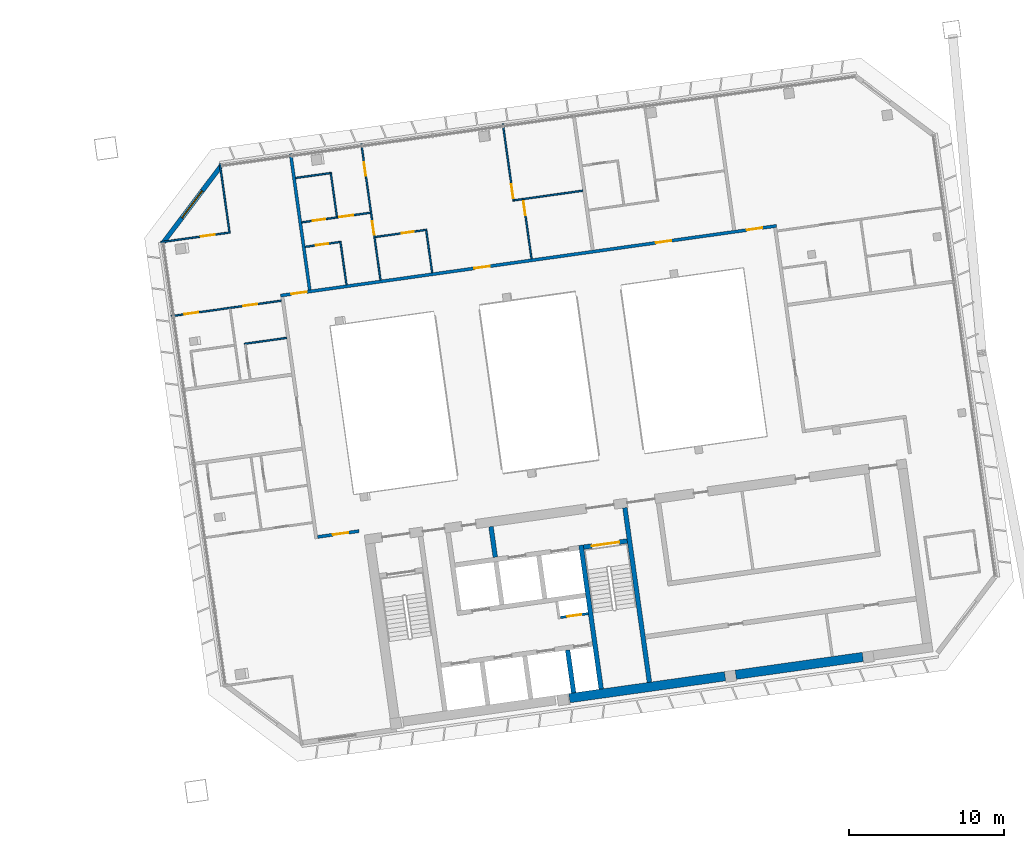
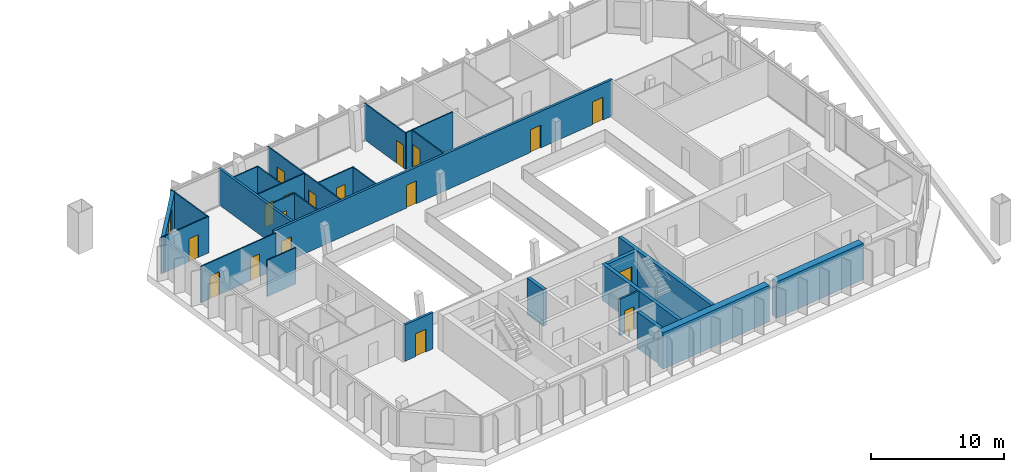
# One storey, part 18 of 23: 27 walls, 18 doors, 1 window, 19 openings.
"""IFC4 building model written with IfcOpenShell, lengths in metres."""

from ifc_helpers import new_model, si_unit, direction, frame, frame_2d, origin, place, context, subcontext, project, spatial, rectangle, extrude, material, layer, layer_set, type_object, element, fill, save


model = new_model("IFC4")

# Units and contexts
model_context = context("Model", 3, precision=1e-05, world=origin(), true_north=direction((0.0, 1.0)))
body_context = subcontext(model_context, "Body", "Model", "MODEL_VIEW")
ifc_project = project(units=[si_unit("LENGTHUNIT", "METRE"), si_unit("AREAUNIT", "SQUARE_METRE"), si_unit("VOLUMEUNIT", "CUBIC_METRE"), si_unit("PLANEANGLEUNIT", "RADIAN"), si_unit("MASSUNIT", "GRAM", prefix="KILO")], contexts=[model_context])

# Site, building, storey
site_placement = place(None, origin())
site = spatial("IfcSite", under=ifc_project, at=site_placement, CompositionType="ELEMENT")
building_placement = place(site_placement, origin())
building = spatial("IfcBuilding", under=site, at=building_placement, Name="Mirante Cascada Hotel Towers", CompositionType="ELEMENT")
storey_placement = place(building_placement, frame((0.0, 0.0, 220.4)))
storey = spatial("IfcBuildingStorey", under=building, at=storey_placement, Name="L52", CompositionType="ELEMENT", Elevation=220.4)

# Wall, opening, door
ifc_material_1 = material(Name="Fire-rated plasterboard on metal studs")
ifc_layer_1 = layer(ifc_material_1, 0.2)
ifc_layer_set_1 = layer_set([ifc_layer_1], Name="Compartment wall 200 EI 120")
wall_type_1 = type_object("IfcWallType", Name="Compartment wall 200 EI 120", PredefinedType="PARTITIONING", material=ifc_layer_set_1)
wall_1_placement = place(storey_placement, frame((35.2634, -7.1173, 0.0), z_axis=(0.0, 0.0, 1.0), x_axis=(-0.9902713, -0.1391498, 0.0)))
wall_1 = element("IfcWall", 1, at=wall_1_placement, inside=storey, type_object=wall_type_1, Name="Wall 2-L52-04", PredefinedType="PARTITIONING", context=body_context, shape_type="SweptSolid", body=[
    extrude(rectangle(XDim=2.7, YDim=0.2, at=frame_2d((1.35, 0.0))), origin(), (0.0, 0.0, 1.0), 3.35),
])
opening_1_placement = place(wall_1_placement, frame((0.7, 0.0, 0.0)))
opening_1 = element("IfcOpeningElement", 2, at=opening_1_placement, cuts=wall_1, Name="Opening D2-L52-02", PredefinedType="OPENING", context=body_context, shape_type="SweptSolid", body=[
    extrude(rectangle(XDim=1.0, YDim=2.1, at=frame_2d((0.5, 1.05))), frame((0.0, 0.1, 0.0), z_axis=(0.0, -1.0, 0.0), x_axis=(1.0, 0.0, 0.0)), (0.0, 0.0, 1.0), 0.2),
])
ifc_material_2 = material(Name="Fire-rated timber door leaf", Category="wood")
door_type_1 = type_object("IfcDoorType", Name="Entrance door DG1 1000x2100 EI 60", OperationType="SINGLE_SWING_LEFT", PredefinedType="DOOR", material=ifc_material_2)
door_1_placement = place(opening_1_placement, origin())
door_1 = element("IfcDoor", 3, at=door_1_placement, inside=storey, type_object=door_type_1, Name="Door D2-L52-02", OperationType="SINGLE_SWING_LEFT", OverallHeight=2.1, OverallWidth=1.0, PredefinedType="DOOR", context=body_context, shape_type="SweptSolid", body=[
    extrude(rectangle(XDim=1.0, YDim=2.1, at=frame_2d((0.5, 1.05))), frame((0.0, 0.025, 0.0), z_axis=(0.0, -1.0, 0.0), x_axis=(1.0, 0.0, 0.0)), (0.0, 0.0, 1.0), 0.05),
])
fill(opening_1, door_1)

# Wall, openings, doors
wall_2_placement = place(storey_placement, frame((62.2774, 12.6346, 0.0), z_axis=(0.0, 0.0, 1.0), x_axis=(-0.9902681, -0.1391728, 0.0)))
wall_2 = element("IfcWall", 4, at=wall_2_placement, inside=storey, type_object=wall_type_1, Name="Wall 2-L52-18", PredefinedType="PARTITIONING", context=body_context, shape_type="SweptSolid", body=[
    extrude(rectangle(XDim=32.4, YDim=0.2, at=frame_2d((16.2, 0.0))), origin(), (0.0, 0.0, 1.0), 3.35),
])
opening_2_placement = place(wall_2_placement, frame((30.6918, 0.0, 0.0)))
opening_2 = element("IfcOpeningElement", 5, at=opening_2_placement, cuts=wall_2, Name="Opening D2-L52-09", PredefinedType="OPENING", context=body_context, shape_type="SweptSolid", body=[
    extrude(rectangle(XDim=1.0, YDim=2.1, at=frame_2d((0.5, 1.05))), frame((0.0, 0.1, 0.0), z_axis=(0.0, -1.0, 0.0), x_axis=(1.0, 0.0, 0.0)), (0.0, 0.0, 1.0), 0.2),
])
opening_3_placement = place(wall_2_placement, frame((18.7377, 0.0, 0.0)))
opening_3 = element("IfcOpeningElement", 6, at=opening_3_placement, cuts=wall_2, Name="Opening D2-L52-10", PredefinedType="OPENING", context=body_context, shape_type="SweptSolid", body=[
    extrude(rectangle(XDim=1.0, YDim=2.1, at=frame_2d((0.5, 1.05))), frame((0.0, 0.1, 0.0), z_axis=(0.0, -1.0, 0.0), x_axis=(1.0, 0.0, 0.0)), (0.0, 0.0, 1.0), 0.2),
])
opening_4_placement = place(wall_2_placement, frame((6.8689, 0.0, 0.0)))
opening_4 = element("IfcOpeningElement", 7, at=opening_4_placement, cuts=wall_2, Name="Opening D2-L52-11", PredefinedType="OPENING", context=body_context, shape_type="SweptSolid", body=[
    extrude(rectangle(XDim=1.0, YDim=2.1, at=frame_2d((0.5, 1.05))), frame((0.0, 0.1, 0.0), z_axis=(0.0, -1.0, 0.0), x_axis=(1.0, 0.0, 0.0)), (0.0, 0.0, 1.0), 0.2),
])
opening_5_placement = place(wall_2_placement, frame((0.923, 0.0, 0.0)))
opening_5 = element("IfcOpeningElement", 8, at=opening_5_placement, cuts=wall_2, Name="Opening D2-L52-12", PredefinedType="OPENING", context=body_context, shape_type="SweptSolid", body=[
    extrude(rectangle(XDim=1.0, YDim=2.1, at=frame_2d((0.5, 1.05))), frame((0.0, 0.1, 0.0), z_axis=(0.0, -1.0, 0.0), x_axis=(1.0, 0.0, 0.0)), (0.0, 0.0, 1.0), 0.2),
])
door_2_placement = place(opening_2_placement, frame((1.0, 0.0, 0.0), z_axis=(0.0, 0.0, 1.0), x_axis=(-1.0, 0.0, 0.0)))
door_2 = element("IfcDoor", 9, at=door_2_placement, inside=storey, type_object=door_type_1, Name="Door D2-L52-09", OperationType="SINGLE_SWING_RIGHT", OverallHeight=2.1, OverallWidth=1.0, PredefinedType="DOOR", context=body_context, shape_type="SweptSolid", body=[
    extrude(rectangle(XDim=1.0, YDim=2.1, at=frame_2d((0.5, 1.05))), frame((0.0, 0.025, 0.0), z_axis=(0.0, -1.0, 0.0), x_axis=(1.0, 0.0, 0.0)), (0.0, 0.0, 1.0), 0.05),
])
fill(opening_2, door_2)
door_3_placement = place(opening_3_placement, frame((1.0, 0.0, 0.0), z_axis=(0.0, 0.0, 1.0), x_axis=(-1.0, 0.0, 0.0)))
door_3 = element("IfcDoor", 10, at=door_3_placement, inside=storey, type_object=door_type_1, Name="Door D2-L52-10", OperationType="SINGLE_SWING_RIGHT", OverallHeight=2.1, OverallWidth=1.0, PredefinedType="DOOR", context=body_context, shape_type="SweptSolid", body=[
    extrude(rectangle(XDim=1.0, YDim=2.1, at=frame_2d((0.5, 1.05))), frame((0.0, 0.025, 0.0), z_axis=(0.0, -1.0, 0.0), x_axis=(1.0, 0.0, 0.0)), (0.0, 0.0, 1.0), 0.05),
])
fill(opening_3, door_3)
door_4_placement = place(opening_4_placement, frame((1.0, 0.0, 0.0), z_axis=(0.0, 0.0, 1.0), x_axis=(-1.0, 0.0, 0.0)))
door_4 = element("IfcDoor", 11, at=door_4_placement, inside=storey, type_object=door_type_1, Name="Door D2-L52-11", OperationType="SINGLE_SWING_RIGHT", OverallHeight=2.1, OverallWidth=1.0, PredefinedType="DOOR", context=body_context, shape_type="SweptSolid", body=[
    extrude(rectangle(XDim=1.0, YDim=2.1, at=frame_2d((0.5, 1.05))), frame((0.0, 0.025, 0.0), z_axis=(0.0, -1.0, 0.0), x_axis=(1.0, 0.0, 0.0)), (0.0, 0.0, 1.0), 0.05),
])
fill(opening_4, door_4)
door_5_placement = place(opening_5_placement, frame((1.0, 0.0, 0.0), z_axis=(0.0, 0.0, 1.0), x_axis=(-1.0, 0.0, 0.0)))
door_5 = element("IfcDoor", 12, at=door_5_placement, inside=storey, type_object=door_type_1, Name="Door D2-L52-12", OperationType="SINGLE_SWING_RIGHT", OverallHeight=2.1, OverallWidth=1.0, PredefinedType="DOOR", context=body_context, shape_type="SweptSolid", body=[
    extrude(rectangle(XDim=1.0, YDim=2.1, at=frame_2d((0.5, 1.05))), frame((0.0, 0.025, 0.0), z_axis=(0.0, -1.0, 0.0), x_axis=(1.0, 0.0, 0.0)), (0.0, 0.0, 1.0), 0.05),
])
fill(opening_5, door_5)

# Wall
wall_3_placement = place(storey_placement, frame((32.0765, 8.4911, 0.0), z_axis=(0.0, 0.0, 1.0), x_axis=(-0.1391684, 0.9902687, 0.0)))
element("IfcWall", 13, at=wall_3_placement, inside=storey, type_object=wall_type_1, Name="Wall 2-L52-37", PredefinedType="PARTITIONING", context=body_context, shape_type="SweptSolid", body=[
    extrude(rectangle(XDim=8.9, YDim=0.2, at=frame_2d((4.45, 0.0))), origin(), (0.0, 0.0, 1.0), 3.35),
])

# Wall, opening, door
ifc_material_3 = material(Name="Masonry block", Category="masonry")
ifc_layer_2 = layer(ifc_material_3, 0.15)
ifc_layer_set_2 = layer_set([ifc_layer_2], Name="Core room partition 150 block EI 30")
wall_type_2 = type_object("IfcWallType", Name="Core room partition 150 block EI 30", PredefinedType="PARTITIONING", material=ifc_layer_set_2)
wall_4_placement = place(storey_placement, frame((48.2933, -12.7083, 0.0), z_axis=(0.0, 0.0, 1.0), x_axis=(0.990268, 0.1391734, 0.0)))
wall_4 = element("IfcWall", 14, at=wall_4_placement, inside=storey, type_object=wall_type_2, Name="Core wall partition T2 L52 3", PredefinedType="PARTITIONING", context=body_context, shape_type="SweptSolid", body=[
    extrude(rectangle(XDim=1.8251, YDim=0.15, at=frame_2d((0.9126, 0.0))), origin(), (0.0, 0.0, 1.0), 3.35),
])
opening_6_placement = place(wall_4_placement, frame((0.4625, 0.0, 0.0)))
opening_6 = element("IfcOpeningElement", 15, at=opening_6_placement, cuts=wall_4, Name="Opening D2-52-C15", PredefinedType="OPENING", context=body_context, shape_type="SweptSolid", body=[
    extrude(rectangle(XDim=0.9, YDim=2.1, at=frame_2d((0.45, 1.05))), frame((0.0, 0.075, 0.0), z_axis=(0.0, -1.0, 0.0), x_axis=(1.0, 0.0, 0.0)), (0.0, 0.0, 1.0), 0.15),
])
ifc_material_4 = material(Name="Hollow metal fire door leaf")
door_type_2 = type_object("IfcDoorType", Name="Fire door 900x2100 FD60", OperationType="NOTDEFINED", PredefinedType="DOOR", material=ifc_material_4)
door_6_placement = place(opening_6_placement, frame((0.9, 0.0, 0.0), z_axis=(0.0, 0.0, 1.0), x_axis=(-1.0, 0.0, 0.0)))
door_6 = element("IfcDoor", 16, at=door_6_placement, inside=storey, type_object=door_type_2, Name="Riser door T2 L52 15", OperationType="SINGLE_SWING_RIGHT", OverallHeight=2.1, OverallWidth=0.9, PredefinedType="DOOR", context=body_context, shape_type="SweptSolid", body=[
    extrude(rectangle(XDim=0.9, YDim=2.1, at=frame_2d((0.45, 1.05))), frame((0.0, 0.025, 0.0), z_axis=(0.0, -1.0, 0.0), x_axis=(1.0, 0.0, 0.0)), (0.0, 0.0, 1.0), 0.05),
])
fill(opening_6, door_6)

# Walls
ifc_material_5 = material(Name="Masonry block", Category="masonry")
ifc_layer_3 = layer(ifc_material_5, 0.3)
ifc_layer_set_3 = layer_set([ifc_layer_3], Name="Core wall 300 block EI 120")
wall_type_3 = type_object("IfcWallType", Name="Core wall 300 block EI 120", PredefinedType="PARTITIONING", material=ifc_layer_set_3)
wall_5_placement = place(storey_placement, frame((44.0843, -8.8061, 0.0), z_axis=(0.0, 0.0, 1.0), x_axis=(-0.1391951, 0.990265, 0.0)))
element("IfcWall", 17, at=wall_5_placement, inside=storey, type_object=wall_type_3, Name="Core wall partition T2 L52 1", PredefinedType="PARTITIONING", context=body_context, shape_type="SweptSolid", body=[
    extrude(rectangle(XDim=2.0001, YDim=0.3, at=frame_2d((1.0001, 0.0))), origin(), (0.0, 0.0, 1.0), 3.35),
])
ifc_material_6 = material(Name="Plasterboard on metal studs")
ifc_layer_4 = layer(ifc_material_6, 0.1)
ifc_layer_set_4 = layer_set([ifc_layer_4], Name="Partition 100")
wall_type_4 = type_object("IfcWallType", Name="Partition 100", PredefinedType="PARTITIONING", material=ifc_layer_set_4)
wall_6_placement = place(storey_placement, frame((27.8481, 5.002, 0.0), z_axis=(0.0, 0.0, 1.0), x_axis=(0.9902691, 0.1391659, 0.0)))
element("IfcWall", 18, at=wall_6_placement, inside=storey, type_object=wall_type_4, Name="Wall 2-L52-13", PredefinedType="PARTITIONING", context=body_context, shape_type="SweptSolid", body=[
    extrude(rectangle(XDim=2.7564, YDim=0.1, at=frame_2d((1.3782, 0.0))), origin(), (0.0, 0.0, 1.0), 3.35),
])

# Wall, openings, doors
wall_7_placement = place(storey_placement, frame((30.2391, 7.7953, 0.0), z_axis=(0.0, 0.0, 1.0), x_axis=(-0.9902691, -0.1391655, 0.0)))
wall_7 = element("IfcWall", 19, at=wall_7_placement, inside=storey, type_object=wall_type_4, Name="Wall 2-L52-16", PredefinedType="PARTITIONING", context=body_context, shape_type="SweptSolid", body=[
    extrude(rectangle(XDim=7.2065, YDim=0.1, at=frame_2d((3.6032, 0.0))), origin(), (0.0, 0.0, 1.0), 3.35),
])
opening_7_placement = place(wall_7_placement, frame((5.4299, 0.0, 0.0)))
opening_7 = element("IfcOpeningElement", 20, at=opening_7_placement, cuts=wall_7, Name="Opening D2-L52-05", PredefinedType="OPENING", context=body_context, shape_type="SweptSolid", body=[
    extrude(rectangle(XDim=0.9, YDim=2.1, at=frame_2d((0.45, 1.05))), frame((0.0, 0.05, 0.0), z_axis=(0.0, -1.0, 0.0), x_axis=(1.0, 0.0, 0.0)), (0.0, 0.0, 1.0), 0.1),
])
opening_8_placement = place(wall_7_placement, frame((1.5766, 0.0, 0.0)))
opening_8 = element("IfcOpeningElement", 21, at=opening_8_placement, cuts=wall_7, Name="Opening D2-L52-06", PredefinedType="OPENING", context=body_context, shape_type="SweptSolid", body=[
    extrude(rectangle(XDim=0.9, YDim=2.1, at=frame_2d((0.45, 1.05))), frame((0.0, 0.05, 0.0), z_axis=(0.0, -1.0, 0.0), x_axis=(1.0, 0.0, 0.0)), (0.0, 0.0, 1.0), 0.1),
])
ifc_material_7 = material(Name="Timber door leaf", Category="wood")
door_type_3 = type_object("IfcDoorType", Name="Room door DG3 900x2100", OperationType="SINGLE_SWING_LEFT", PredefinedType="DOOR", material=ifc_material_7)
door_7_placement = place(opening_7_placement, frame((0.9, 0.0, 0.0), z_axis=(0.0, 0.0, 1.0), x_axis=(-1.0, 0.0, 0.0)))
door_7 = element("IfcDoor", 22, at=door_7_placement, inside=storey, type_object=door_type_3, Name="Door D2-L52-05", OperationType="SINGLE_SWING_RIGHT", OverallHeight=2.1, OverallWidth=0.9, PredefinedType="DOOR", context=body_context, shape_type="SweptSolid", body=[
    extrude(rectangle(XDim=0.9, YDim=2.1, at=frame_2d((0.45, 1.05))), frame((0.0, 0.025, 0.0), z_axis=(0.0, -1.0, 0.0), x_axis=(1.0, 0.0, 0.0)), (0.0, 0.0, 1.0), 0.05),
])
fill(opening_7, door_7)
door_8_placement = place(opening_8_placement, frame((0.9, 0.0, 0.0), z_axis=(0.0, 0.0, 1.0), x_axis=(-1.0, 0.0, 0.0)))
door_8 = element("IfcDoor", 23, at=door_8_placement, inside=storey, type_object=door_type_3, Name="Door D2-L52-06", OperationType="SINGLE_SWING_RIGHT", OverallHeight=2.1, OverallWidth=0.9, PredefinedType="DOOR", context=body_context, shape_type="SweptSolid", body=[
    extrude(rectangle(XDim=0.9, YDim=2.1, at=frame_2d((0.45, 1.05))), frame((0.0, 0.025, 0.0), z_axis=(0.0, -1.0, 0.0), x_axis=(1.0, 0.0, 0.0)), (0.0, 0.0, 1.0), 0.05),
])
fill(opening_8, door_8)

# Wall, opening, door
wall_8_placement = place(storey_placement, frame((34.014, 11.5909, 0.0), z_axis=(0.0, 0.0, 1.0), x_axis=(-0.9902705, -0.1391561, 0.0)))
wall_8 = element("IfcWall", 24, at=wall_8_placement, inside=storey, type_object=wall_type_4, Name="Wall 2-L52-20", PredefinedType="PARTITIONING", context=body_context, shape_type="SweptSolid", body=[
    extrude(rectangle(XDim=2.25, YDim=0.1, at=frame_2d((1.125, 0.0))), origin(), (0.0, 0.0, 1.0), 3.35),
])
opening_9_placement = place(wall_8_placement, frame((0.75, 0.0, 0.0)))
opening_9 = element("IfcOpeningElement", 25, at=opening_9_placement, cuts=wall_8, Name="Opening D2-L52-13", PredefinedType="OPENING", context=body_context, shape_type="SweptSolid", body=[
    extrude(rectangle(XDim=0.8, YDim=2.1, at=frame_2d((0.4, 1.05))), frame((0.0, 0.05, 0.0), z_axis=(0.0, -1.0, 0.0), x_axis=(1.0, 0.0, 0.0)), (0.0, 0.0, 1.0), 0.1),
])
ifc_material_8 = material(Name="Timber door leaf", Category="wood")
door_type_4 = type_object("IfcDoorType", Name="Bathroom door DG4 800x2100", OperationType="SINGLE_SWING_LEFT", PredefinedType="DOOR", material=ifc_material_8)
door_9_placement = place(opening_9_placement, origin())
door_9 = element("IfcDoor", 26, at=door_9_placement, inside=storey, type_object=door_type_4, Name="Door D2-L52-13", OperationType="SINGLE_SWING_LEFT", OverallHeight=2.1, OverallWidth=0.8, PredefinedType="DOOR", context=body_context, shape_type="SweptSolid", body=[
    extrude(rectangle(XDim=0.8, YDim=2.1, at=frame_2d((0.4, 1.05))), frame((0.0, 0.025, 0.0), z_axis=(0.0, -1.0, 0.0), x_axis=(1.0, 0.0, 0.0)), (0.0, 0.0, 1.0), 0.05),
])
fill(opening_9, door_9)

wall_9_placement = place(storey_placement, frame((36.3144, 11.9142, 0.0), z_axis=(0.0, 0.0, 1.0), x_axis=(0.9902674, 0.1391782, 0.0)))
wall_9 = element("IfcWall", 27, at=wall_9_placement, inside=storey, type_object=wall_type_4, Name="Wall 2-L52-21", PredefinedType="PARTITIONING", context=body_context, shape_type="SweptSolid", body=[
    extrude(rectangle(XDim=3.377, YDim=0.1, at=frame_2d((1.6885, 0.0))), origin(), (0.0, 0.0, 1.0), 3.35),
])
opening_10_placement = place(wall_9_placement, frame((1.727, 0.0, 0.0)))
opening_10 = element("IfcOpeningElement", 28, at=opening_10_placement, cuts=wall_9, Name="Opening D2-L52-14", PredefinedType="OPENING", context=body_context, shape_type="SweptSolid", body=[
    extrude(rectangle(XDim=0.8, YDim=2.1, at=frame_2d((0.4, 1.05))), frame((0.0, 0.05, 0.0), z_axis=(0.0, -1.0, 0.0), x_axis=(1.0, 0.0, 0.0)), (0.0, 0.0, 1.0), 0.1),
])
door_10_placement = place(opening_10_placement, origin())
door_10 = element("IfcDoor", 29, at=door_10_placement, inside=storey, type_object=door_type_4, Name="Door D2-L52-14", OperationType="SINGLE_SWING_LEFT", OverallHeight=2.1, OverallWidth=0.8, PredefinedType="DOOR", context=body_context, shape_type="SweptSolid", body=[
    extrude(rectangle(XDim=0.8, YDim=2.1, at=frame_2d((0.4, 1.05))), frame((0.0, 0.025, 0.0), z_axis=(0.0, -1.0, 0.0), x_axis=(1.0, 0.0, 0.0)), (0.0, 0.0, 1.0), 0.05),
])
fill(opening_10, door_10)

# Wall
wall_10_placement = place(storey_placement, frame((49.7466, 14.9128, 0.0), z_axis=(0.0, 0.0, 1.0), x_axis=(-0.9902684, -0.1391706, 0.0)))
element("IfcWall", 30, at=wall_10_placement, inside=storey, type_object=wall_type_4, Name="Wall 2-L52-22", PredefinedType="PARTITIONING", context=body_context, shape_type="SweptSolid", body=[
    extrude(rectangle(XDim=4.4729, YDim=0.1, at=frame_2d((2.2364, 0.0))), origin(), (0.0, 0.0, 1.0), 3.35),
])

# Wall, opening, door
wall_11_placement = place(storey_placement, frame((26.9358, 12.2119, 0.0), z_axis=(0.0, 0.0, 1.0), x_axis=(-0.9902661, -0.1391871, 0.0)))
wall_11 = element("IfcWall", 31, at=wall_11_placement, inside=storey, type_object=wall_type_4, Name="Wall 2-L52-24", PredefinedType="PARTITIONING", context=body_context, shape_type="SweptSolid", body=[
    extrude(rectangle(XDim=4.55, YDim=0.1, at=frame_2d((2.275, 0.0))), origin(), (0.0, 0.0, 1.0), 3.35),
])
opening_11_placement = place(wall_11_placement, frame((1.0174, 0.0, 0.0)))
opening_11 = element("IfcOpeningElement", 32, at=opening_11_placement, cuts=wall_11, Name="Opening D2-L52-16", PredefinedType="OPENING", context=body_context, shape_type="SweptSolid", body=[
    extrude(rectangle(XDim=0.9, YDim=2.1, at=frame_2d((0.45, 1.05))), frame((0.0, 0.05, 0.0), z_axis=(0.0, -1.0, 0.0), x_axis=(1.0, 0.0, 0.0)), (0.0, 0.0, 1.0), 0.1),
])
door_11_placement = place(opening_11_placement, origin())
door_11 = element("IfcDoor", 33, at=door_11_placement, inside=storey, type_object=door_type_3, Name="Door D2-L52-16", OperationType="SINGLE_SWING_LEFT", OverallHeight=2.1, OverallWidth=0.9, PredefinedType="DOOR", context=body_context, shape_type="SweptSolid", body=[
    extrude(rectangle(XDim=0.9, YDim=2.1, at=frame_2d((0.45, 1.05))), frame((0.0, 0.025, 0.0), z_axis=(0.0, -1.0, 0.0), x_axis=(1.0, 0.0, 0.0)), (0.0, 0.0, 1.0), 0.05),
])
fill(opening_11, door_11)

# Wall, openings, doors
wall_12_placement = place(storey_placement, frame((31.5632, 12.8622, 0.0), z_axis=(0.0, 0.0, 1.0), x_axis=(0.9902689, 0.1391675, 0.0)))
wall_12 = element("IfcWall", 34, at=wall_12_placement, inside=storey, type_object=wall_type_4, Name="Wall 2-L52-25", PredefinedType="PARTITIONING", context=body_context, shape_type="SweptSolid", body=[
    extrude(rectangle(XDim=4.473, YDim=0.1, at=frame_2d((2.2365, 0.0))), origin(), (0.0, 0.0, 1.0), 3.35),
])
opening_12_placement = place(wall_12_placement, frame((0.72, 0.0, 0.0)))
opening_12 = element("IfcOpeningElement", 35, at=opening_12_placement, cuts=wall_12, Name="Opening D2-L52-17", PredefinedType="OPENING", context=body_context, shape_type="SweptSolid", body=[
    extrude(rectangle(XDim=0.8, YDim=2.1, at=frame_2d((0.4, 1.05))), frame((0.0, 0.05, 0.0), z_axis=(0.0, -1.0, 0.0), x_axis=(1.0, 0.0, 0.0)), (0.0, 0.0, 1.0), 0.1),
])
opening_13_placement = place(wall_12_placement, frame((2.45, 0.0, 0.0)))
opening_13 = element("IfcOpeningElement", 36, at=opening_13_placement, cuts=wall_12, Name="Opening D2-L52-18", PredefinedType="OPENING", context=body_context, shape_type="SweptSolid", body=[
    extrude(rectangle(XDim=0.9, YDim=2.1, at=frame_2d((0.45, 1.05))), frame((0.0, 0.05, 0.0), z_axis=(0.0, -1.0, 0.0), x_axis=(1.0, 0.0, 0.0)), (0.0, 0.0, 1.0), 0.1),
])
door_12_placement = place(opening_12_placement, frame((0.8, 0.0, 0.0), z_axis=(0.0, 0.0, 1.0), x_axis=(-1.0, 0.0, 0.0)))
door_12 = element("IfcDoor", 37, at=door_12_placement, inside=storey, type_object=door_type_4, Name="Door D2-L52-17", OperationType="SINGLE_SWING_RIGHT", OverallHeight=2.1, OverallWidth=0.8, PredefinedType="DOOR", context=body_context, shape_type="SweptSolid", body=[
    extrude(rectangle(XDim=0.8, YDim=2.1, at=frame_2d((0.4, 1.05))), frame((0.0, 0.025, 0.0), z_axis=(0.0, -1.0, 0.0), x_axis=(1.0, 0.0, 0.0)), (0.0, 0.0, 1.0), 0.05),
])
fill(opening_12, door_12)
door_13_placement = place(opening_13_placement, origin())
door_13 = element("IfcDoor", 38, at=door_13_placement, inside=storey, type_object=door_type_3, Name="Door D2-L52-18", OperationType="SINGLE_SWING_LEFT", OverallHeight=2.1, OverallWidth=0.9, PredefinedType="DOOR", context=body_context, shape_type="SweptSolid", body=[
    extrude(rectangle(XDim=0.9, YDim=2.1, at=frame_2d((0.45, 1.05))), frame((0.0, 0.025, 0.0), z_axis=(0.0, -1.0, 0.0), x_axis=(1.0, 0.0, 0.0)), (0.0, 0.0, 1.0), 0.05),
])
fill(opening_13, door_13)

# Walls
wall_13_placement = place(storey_placement, frame((31.1596, 15.734, 0.0), z_axis=(0.0, 0.0, 1.0), x_axis=(0.9902705, 0.1391561, 0.0)))
element("IfcWall", 39, at=wall_13_placement, inside=storey, type_object=wall_type_4, Name="Wall 2-L52-27", PredefinedType="PARTITIONING", context=body_context, shape_type="SweptSolid", body=[
    extrude(rectangle(XDim=2.25, YDim=0.1, at=frame_2d((1.125, 0.0))), origin(), (0.0, 0.0, 1.0), 3.35),
])
wall_14_placement = place(storey_placement, frame((26.8793, 12.2544, 0.0), z_axis=(0.0, 0.0, 1.0), x_axis=(-0.1391684, 0.9902687, 0.0)))
element("IfcWall", 40, at=wall_14_placement, inside=storey, type_object=wall_type_4, Name="Wall 2-L52-35", PredefinedType="PARTITIONING", context=body_context, shape_type="SweptSolid", body=[
    extrude(rectangle(XDim=4.45, YDim=0.1, at=frame_2d((2.225, 0.0))), origin(), (0.0, 0.0, 1.0), 3.35),
])
wall_15_placement = place(storey_placement, frame((34.0565, 11.6474, 0.0), z_axis=(0.0, 0.0, 1.0), x_axis=(0.1391909, -0.9902656, 0.0)))
element("IfcWall", 41, at=wall_15_placement, inside=storey, type_object=wall_type_4, Name="Wall 2-L52-38", PredefinedType="PARTITIONING", context=body_context, shape_type="SweptSolid", body=[
    extrude(rectangle(XDim=2.85, YDim=0.1, at=frame_2d((1.425, 0.0))), origin(), (0.0, 0.0, 1.0), 3.35),
])
wall_16_placement = place(storey_placement, frame((33.8339, 13.2318, 0.0), z_axis=(0.0, 0.0, 1.0), x_axis=(-0.1391714, 0.9902683, 0.0)))
element("IfcWall", 42, at=wall_16_placement, inside=storey, type_object=wall_type_4, Name="Wall 2-L52-39", PredefinedType="PARTITIONING", context=body_context, shape_type="SweptSolid", body=[
    extrude(rectangle(XDim=2.9, YDim=0.1, at=frame_2d((1.45, 0.0))), origin(), (0.0, 0.0, 1.0), 3.35),
])

# Wall, openings, doors
wall_17_placement = place(storey_placement, frame((35.4159, 17.9479, 0.0), z_axis=(0.0, 0.0, 1.0), x_axis=(0.1391684, -0.9902687, 0.0)))
wall_17 = element("IfcWall", 43, at=wall_17_placement, inside=storey, type_object=wall_type_4, Name="Wall 2-L52-40", PredefinedType="PARTITIONING", context=body_context, shape_type="SweptSolid", body=[
    extrude(rectangle(XDim=8.9, YDim=0.1, at=frame_2d((4.45, 0.0))), origin(), (0.0, 0.0, 1.0), 3.35),
])
opening_14_placement = place(wall_17_placement, frame((5.05, 0.0, 0.0)))
opening_14 = element("IfcOpeningElement", 44, at=opening_14_placement, cuts=wall_17, Name="Opening D2-L52-25", PredefinedType="OPENING", context=body_context, shape_type="SweptSolid", body=[
    extrude(rectangle(XDim=0.9, YDim=2.1, at=frame_2d((0.45, 1.05))), frame((0.0, 0.05, 0.0), z_axis=(0.0, -1.0, 0.0), x_axis=(1.0, 0.0, 0.0)), (0.0, 0.0, 1.0), 0.1),
])
opening_15_placement = place(wall_17_placement, frame((1.2, 0.0, 0.0)))
opening_15 = element("IfcOpeningElement", 45, at=opening_15_placement, cuts=wall_17, Name="Opening D2-L52-26", PredefinedType="OPENING", context=body_context, shape_type="SweptSolid", body=[
    extrude(rectangle(XDim=0.9, YDim=2.1, at=frame_2d((0.45, 1.05))), frame((0.0, 0.05, 0.0), z_axis=(0.0, -1.0, 0.0), x_axis=(1.0, 0.0, 0.0)), (0.0, 0.0, 1.0), 0.1),
])
door_14_placement = place(opening_14_placement, origin())
door_14 = element("IfcDoor", 46, at=door_14_placement, inside=storey, type_object=door_type_3, Name="Door D2-L52-25", OperationType="SINGLE_SWING_LEFT", OverallHeight=2.1, OverallWidth=0.9, PredefinedType="DOOR", context=body_context, shape_type="SweptSolid", body=[
    extrude(rectangle(XDim=0.9, YDim=2.1, at=frame_2d((0.45, 1.05))), frame((0.0, 0.025, 0.0), z_axis=(0.0, -1.0, 0.0), x_axis=(1.0, 0.0, 0.0)), (0.0, 0.0, 1.0), 0.05),
])
fill(opening_14, door_14)
door_15_placement = place(opening_15_placement, origin())
door_15 = element("IfcDoor", 47, at=door_15_placement, inside=storey, type_object=door_type_3, Name="Door D2-L52-26", OperationType="SINGLE_SWING_LEFT", OverallHeight=2.1, OverallWidth=0.9, PredefinedType="DOOR", context=body_context, shape_type="SweptSolid", body=[
    extrude(rectangle(XDim=0.9, YDim=2.1, at=frame_2d((0.45, 1.05))), frame((0.0, 0.025, 0.0), z_axis=(0.0, -1.0, 0.0), x_axis=(1.0, 0.0, 0.0)), (0.0, 0.0, 1.0), 0.05),
])
fill(opening_15, door_15)

# Wall
wall_18_placement = place(storey_placement, frame((39.9987, 9.6045, 0.0), z_axis=(0.0, 0.0, 1.0), x_axis=(-0.1392013, 0.9902641, 0.0)))
element("IfcWall", 48, at=wall_18_placement, inside=storey, type_object=wall_type_4, Name="Wall 2-L52-41", PredefinedType="PARTITIONING", context=body_context, shape_type="SweptSolid", body=[
    extrude(rectangle(XDim=2.75, YDim=0.1, at=frame_2d((1.375, 0.0))), origin(), (0.0, 0.0, 1.0), 3.35),
])

# Wall, opening, door
wall_19_placement = place(storey_placement, frame((44.5718, 19.2347, 0.0), z_axis=(0.0, 0.0, 1.0), x_axis=(0.1391671, -0.9902689, 0.0)))
wall_19 = element("IfcWall", 49, at=wall_19_placement, inside=storey, type_object=wall_type_4, Name="Wall 2-L52-42", PredefinedType="PARTITIONING", context=body_context, shape_type="SweptSolid", body=[
    extrude(rectangle(XDim=5.05, YDim=0.1, at=frame_2d((2.525, 0.0))), origin(), (0.0, 0.0, 1.0), 3.35),
])
opening_16_placement = place(wall_19_placement, frame((3.95, 0.0, 0.0)))
opening_16 = element("IfcOpeningElement", 50, at=opening_16_placement, cuts=wall_19, Name="Opening D2-L52-27", PredefinedType="OPENING", context=body_context, shape_type="SweptSolid", body=[
    extrude(rectangle(XDim=0.9, YDim=2.1, at=frame_2d((0.45, 1.05))), frame((0.0, 0.05, 0.0), z_axis=(0.0, -1.0, 0.0), x_axis=(1.0, 0.0, 0.0)), (0.0, 0.0, 1.0), 0.1),
])
door_16_placement = place(opening_16_placement, frame((0.9, 0.0, 0.0), z_axis=(0.0, 0.0, 1.0), x_axis=(-1.0, 0.0, 0.0)))
door_16 = element("IfcDoor", 51, at=door_16_placement, inside=storey, type_object=door_type_3, Name="Door D2-L52-27", OperationType="SINGLE_SWING_RIGHT", OverallHeight=2.1, OverallWidth=0.9, PredefinedType="DOOR", context=body_context, shape_type="SweptSolid", body=[
    extrude(rectangle(XDim=0.9, YDim=2.1, at=frame_2d((0.45, 1.05))), frame((0.0, 0.025, 0.0), z_axis=(0.0, -1.0, 0.0), x_axis=(1.0, 0.0, 0.0)), (0.0, 0.0, 1.0), 0.05),
])
fill(opening_16, door_16)

wall_20_placement = place(storey_placement, frame((46.4273, 10.508, 0.0), z_axis=(0.0, 0.0, 1.0), x_axis=(-0.1391701, 0.9902685, 0.0)))
wall_20 = element("IfcWall", 52, at=wall_20_placement, inside=storey, type_object=wall_type_4, Name="Wall 2-L52-43", PredefinedType="PARTITIONING", context=body_context, shape_type="SweptSolid", body=[
    extrude(rectangle(XDim=3.85, YDim=0.1, at=frame_2d((1.925, 0.0))), origin(), (0.0, 0.0, 1.0), 3.35),
])
opening_17_placement = place(wall_20_placement, frame((2.85, 0.0, 0.0)))
opening_17 = element("IfcOpeningElement", 53, at=opening_17_placement, cuts=wall_20, Name="Opening D2-L52-28", PredefinedType="OPENING", context=body_context, shape_type="SweptSolid", body=[
    extrude(rectangle(XDim=0.9, YDim=2.1, at=frame_2d((0.45, 1.05))), frame((0.0, 0.05, 0.0), z_axis=(0.0, -1.0, 0.0), x_axis=(1.0, 0.0, 0.0)), (0.0, 0.0, 1.0), 0.1),
])
door_17_placement = place(opening_17_placement, origin())
door_17 = element("IfcDoor", 54, at=door_17_placement, inside=storey, type_object=door_type_3, Name="Door D2-L52-28", OperationType="SINGLE_SWING_LEFT", OverallHeight=2.1, OverallWidth=0.9, PredefinedType="DOOR", context=body_context, shape_type="SweptSolid", body=[
    extrude(rectangle(XDim=0.9, YDim=2.1, at=frame_2d((0.45, 1.05))), frame((0.0, 0.025, 0.0), z_axis=(0.0, -1.0, 0.0), x_axis=(1.0, 0.0, 0.0)), (0.0, 0.0, 1.0), 0.05),
])
fill(opening_17, door_17)

# Wall, opening, window
ifc_material_9 = material(Name="Precast concrete C40/50", Category="concrete")
ifc_layer_5 = layer(ifc_material_9, 0.3)
ifc_layer_set_5 = layer_set([ifc_layer_5], Name="Precast concrete C40/50 cladding wall 300")
wall_type_5 = type_object("IfcWallType", Name="Precast concrete C40/50 cladding wall 300", PredefinedType="STANDARD", material=ifc_layer_set_5)
wall_21_placement = place(storey_placement, frame((26.305, 16.4717, 0.0), z_axis=(0.0, 0.0, 1.0), x_axis=(-0.6018141, -0.7986362, 0.0)))
wall_21 = element("IfcWall", 55, at=wall_21_placement, inside=storey, type_object=wall_type_5, Name="Corner cladding wall T2 L52 front inner", PredefinedType="STANDARD", context=body_context, shape_type="SweptSolid", body=[
    extrude(rectangle(XDim=6.1157, YDim=0.3, at=frame_2d((3.0578, 0.0))), origin(), (0.0, 0.0, 1.0), 3.35),
])
opening_18_placement = place(wall_21_placement, frame((1.9578, 0.0, 0.6)))
opening_18 = element("IfcOpeningElement", 56, at=opening_18_placement, cuts=wall_21, Name="Opening W2-52-04", PredefinedType="OPENING", context=body_context, shape_type="SweptSolid", body=[
    extrude(rectangle(XDim=2.2, YDim=2.4, at=frame_2d((1.1, 1.2))), frame((0.0, 0.15, 0.0), z_axis=(0.0, -1.0, 0.0), x_axis=(1.0, 0.0, 0.0)), (0.0, 0.0, 1.0), 0.3),
])
ifc_material_10 = material(Name="Aluminium frame with clear double glazing", Category="aluminium")
window_type = type_object("IfcWindowType", Name="Corner suite window 2200x2400", PartitioningType="DOUBLE_PANEL_VERTICAL", PredefinedType="WINDOW", material=ifc_material_10)
window_placement = place(opening_18_placement, origin())
window = element("IfcWindow", 57, at=window_placement, inside=storey, type_object=window_type, Name="Window W2-52-04", OverallHeight=2.4, OverallWidth=2.2, PartitioningType="SINGLE_PANEL", PredefinedType="WINDOW", context=body_context, shape_type="SweptSolid", body=[
    extrude(rectangle(XDim=2.2, YDim=2.4, at=frame_2d((1.1, 1.2))), frame((0.0, 0.03, 0.0), z_axis=(0.0, -1.0, 0.0), x_axis=(1.0, 0.0, 0.0)), (0.0, 0.0, 1.0), 0.06),
])
fill(opening_18, window)

# Walls
ifc_material_11 = material(Name="Concrete C50/60", Category="concrete")
ifc_layer_6 = layer(ifc_material_11, 0.3)
ifc_layer_set_6 = layer_set([ifc_layer_6], Name="RC core wall 300 C50/60")
wall_type_6 = type_object("IfcWallType", Name="RC core wall 300 C50/60", PredefinedType="SHEAR", material=ifc_layer_set_6)
wall_22_placement = place(storey_placement, frame((50.938, -17.3352, 0.0), z_axis=(0.0, 0.0, 1.0), x_axis=(-0.1391706, 0.9902684, 0.0)))
element("IfcWall", 58, at=wall_22_placement, inside=storey, type_object=wall_type_6, Name="Core wall T2:L52:6", PredefinedType="SHEAR", context=body_context, shape_type="SweptSolid", body=[
    extrude(rectangle(XDim=9.4, YDim=0.3, at=frame_2d((4.7, 0.0))), origin(), (0.0, 0.0, 1.0), 3.35),
])
wall_23_placement = place(storey_placement, frame((54.0574, -16.8968, 0.0), z_axis=(0.0, 0.0, 1.0), x_axis=(-0.1391761, 0.9902677, 0.0)))
element("IfcWall", 59, at=wall_23_placement, inside=storey, type_object=wall_type_6, Name="Core wall T2:L52:7", PredefinedType="SHEAR", context=body_context, shape_type="SweptSolid", body=[
    extrude(rectangle(XDim=11.3999, YDim=0.3, at=frame_2d((5.7, 0.0))), origin(), (0.0, 0.0, 1.0), 3.35),
])

# Wall, opening, door
wall_24_placement = place(storey_placement, frame((49.7992, -8.1544, 0.0), z_axis=(0.0, 0.0, 1.0), x_axis=(0.9902656, 0.1391909, 0.0)))
wall_24 = element("IfcWall", 60, at=wall_24_placement, inside=storey, type_object=wall_type_6, Name="Core wall T2:L52:9", PredefinedType="SHEAR", context=body_context, shape_type="SweptSolid", body=[
    extrude(rectangle(XDim=2.85, YDim=0.3, at=frame_2d((1.425, 0.0))), origin(), (0.0, 0.0, 1.0), 3.35),
])
opening_19_placement = place(wall_24_placement, frame((0.525, 0.0, 0.0)))
opening_19 = element("IfcOpeningElement", 61, at=opening_19_placement, cuts=wall_24, Name="Opening D2-52-C09", PredefinedType="OPENING", context=body_context, shape_type="SweptSolid", body=[
    extrude(rectangle(XDim=1.8, YDim=2.1, at=frame_2d((0.9, 1.05))), frame((0.0, 0.15, 0.0), z_axis=(0.0, -1.0, 0.0), x_axis=(1.0, 0.0, 0.0)), (0.0, 0.0, 1.0), 0.3),
])
ifc_material_12 = material(Name="Hollow metal fire door leaf")
door_type_5 = type_object("IfcDoorType", Name="Double fire door 1800x2100 FD60", OperationType="DOUBLE_DOOR_SINGLE_SWING", PredefinedType="DOOR", material=ifc_material_12)
door_18_placement = place(opening_19_placement, frame((1.8, 0.0, 0.0), z_axis=(0.0, 0.0, 1.0), x_axis=(-1.0, 0.0, 0.0)))
door_18 = element("IfcDoor", 62, at=door_18_placement, inside=storey, type_object=door_type_5, Name="Stair door T2 L52 9", OperationType="DOUBLE_DOOR_SINGLE_SWING", OverallHeight=2.1, OverallWidth=1.8, PredefinedType="DOOR", context=body_context, shape_type="SweptSolid", body=[
    extrude(rectangle(XDim=0.895, YDim=2.1, at=frame_2d((0.4475, 1.05))), frame((0.0, 0.025, 0.0), z_axis=(0.0, -1.0, 0.0), x_axis=(1.0, 0.0, 0.0)), (0.0, 0.0, 1.0), 0.05),
    extrude(rectangle(XDim=0.895, YDim=2.1, at=frame_2d((1.3525, 1.05))), frame((0.0, 0.025, 0.0), z_axis=(0.0, -1.0, 0.0), x_axis=(1.0, 0.0, 0.0)), (0.0, 0.0, 1.0), 0.05),
])
fill(opening_19, door_18)

# Walls
wall_25_placement = place(storey_placement, frame((49.1555, -17.5857, 0.0), z_axis=(0.0, 0.0, 1.0), x_axis=(-0.1391459, 0.9902719, 0.0)))
element("IfcWall", 63, at=wall_25_placement, inside=storey, type_object=wall_type_6, Name="Core wall T2:L52:15", PredefinedType="SHEAR", context=body_context, shape_type="SweptSolid", body=[
    extrude(rectangle(XDim=2.7999, YDim=0.3, at=frame_2d((1.4, 0.0))), origin(), (0.0, 0.0, 1.0), 3.35),
])
ifc_material_13 = material(Name="Concrete C50/60", Category="concrete")
ifc_layer_7 = layer(ifc_material_13, 0.6)
ifc_layer_set_7 = layer_set([ifc_layer_7], Name="RC core wall 600 C50/60")
wall_type_7 = type_object("IfcWallType", Name="RC core wall 600 C50/60", PredefinedType="SHEAR", material=ifc_layer_set_7)
wall_26_placement = place(storey_placement, frame((48.8815, -17.9272, 0.0), z_axis=(0.0, 0.0, 1.0), x_axis=(0.9902685, 0.13917, 0.0)))
element("IfcWall", 64, at=wall_26_placement, inside=storey, type_object=wall_type_7, Name="Core wall T2:L52:1.2", PredefinedType="SHEAR", context=body_context, shape_type="SweptSolid", body=[
    extrude(rectangle(XDim=10.1689, YDim=0.6, at=frame_2d((5.0844, 0.0))), origin(), (0.0, 0.0, 1.0), 3.35),
])
wall_27_placement = place(storey_placement, frame((59.6446, -16.4145, 0.0), z_axis=(0.0, 0.0, 1.0), x_axis=(0.9902686, 0.1391692, 0.0)))
element("IfcWall", 65, at=wall_27_placement, inside=storey, type_object=wall_type_7, Name="Core wall T2:L52:1.3", PredefinedType="SHEAR", context=body_context, shape_type="SweptSolid", body=[
    extrude(rectangle(XDim=8.3, YDim=0.6, at=frame_2d((4.15, 0.0))), origin(), (0.0, 0.0, 1.0), 3.35),
])

save(model, "model.ifc")
